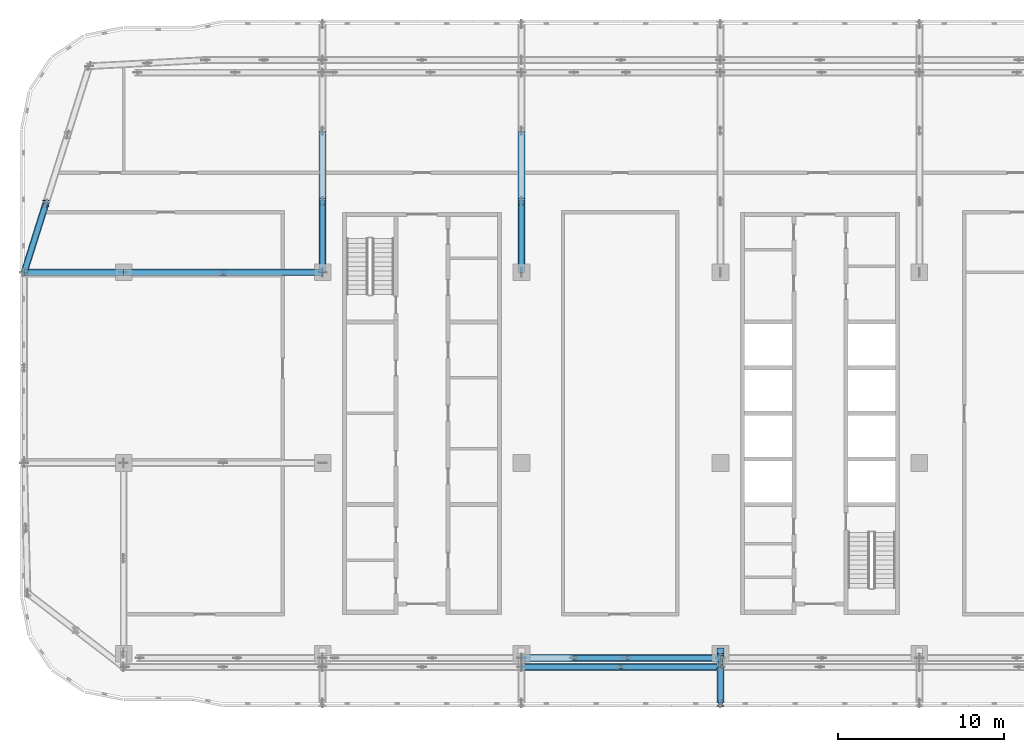
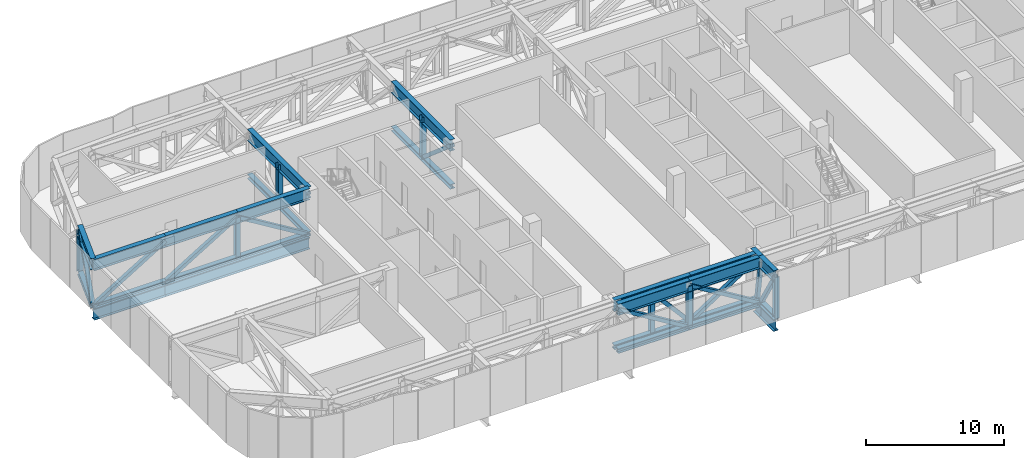
# One storey, part 5 of 29: 40 members, 4 beams.
"""IFC4 building model written with IfcOpenShell, lengths in metres."""

from ifc_helpers import new_model, si_unit, direction, frame, origin, origin_2d, place, context, subcontext, project, spatial, hollow_rectangle, i_section, extrude, material, material_profile, profile_set, type_object, element, save


model = new_model("IFC4")

# Units and contexts
model_context = context("Model", 3, precision=1e-05, world=origin(), true_north=direction((0.0, 1.0)))
body_context = subcontext(model_context, "Body", "Model", "MODEL_VIEW")
ifc_project = project(units=[si_unit("LENGTHUNIT", "METRE"), si_unit("AREAUNIT", "SQUARE_METRE"), si_unit("VOLUMEUNIT", "CUBIC_METRE"), si_unit("PLANEANGLEUNIT", "RADIAN"), si_unit("MASSUNIT", "GRAM", prefix="KILO")], contexts=[model_context])

# Site, building, storey
site_placement = place(None, origin())
site = spatial("IfcSite", under=ifc_project, at=site_placement, CompositionType="ELEMENT")
building_placement = place(site_placement, origin())
building = spatial("IfcBuilding", under=site, at=building_placement, Name="Mahtab Terrace Research Tower", CompositionType="ELEMENT")
storey_placement = place(building_placement, frame((0.0, 0.0, 259.0)))
storey = spatial("IfcBuildingStorey", under=building, at=storey_placement, Name="L63", CompositionType="ELEMENT", Elevation=259.0)

# Members
ifc_material_1 = material(Name="Steel ASTM A500 Gr C", Category="steel")
ifc_material_profile_1 = material_profile(ifc_material_1, hollow_rectangle(XDim=0.3046875, YDim=0.3046875, WallThickness=0.0126953125, at=origin_2d()), Name="HSS12X12X1/2")
ifc_profile_set_1 = profile_set([ifc_material_profile_1], Name="Steel ASTM A500 Gr C")
member_type_1 = type_object("IfcMemberType", Name="HSS 12x12x1/2 brace TD121212", PredefinedType="BRACE", material=ifc_profile_set_1)
member_1_placement = place(storey_placement, frame((-48.0, 11.5, -0.19677734375), z_axis=(0.853925355754, 0.0, 0.520395509974), x_axis=(0.0, 1.0, 0.0)))
element("IfcMember", 1, at=member_1_placement, inside=storey, type_object=member_type_1, Name="Transfer truss T7 diagonal 005", PredefinedType="BRACE", context=body_context, shape_type="SweptSolid", body=[
    extrude(hollow_rectangle(XDim=0.3046875, YDim=0.3046875, WallThickness=0.0126953125, at=origin_2d()), origin(), (0.0, 0.0, 1.0), 7.0263671875),
])
member_2_placement = place(storey_placement, frame((-48.0, 11.5, -0.19677734375), z_axis=(0.230434590717, 0.72980981342, 0.643643950983), x_axis=(-0.953594545685, 0.301093743609, 0.0)))
element("IfcMember", 2, at=member_2_placement, inside=storey, type_object=member_type_1, Name="Transfer truss T7 diagonal 008", PredefinedType="BRACE", context=body_context, shape_type="SweptSolid", body=[
    extrude(hollow_rectangle(XDim=0.3046875, YDim=0.3046875, WallThickness=0.0126953125, at=origin_2d()), origin(), (0.0, 0.0, 1.0), 5.680908203125),
])
for number, where, z_axis, x_axis, name in (
    (3, (-42.0, 11.5, -0.19677734375), (0.853925355754, 0.0, 0.520395509974), (0.0, 1.0, 0.0), "Transfer truss T7 diagonal 017"),
    (4, (-30.0, 11.5, -0.19677734375), (-0.853925355754, 0.0, 0.520395509974), (0.0, -1.0, 0.0), "Transfer truss T7 diagonal 024"),
):
    element("IfcMember", number, at=place(storey_placement, frame(where, z_axis=z_axis, x_axis=x_axis)), inside=storey, type_object=member_type_1, Name=name, PredefinedType="BRACE", context=body_context, shape_type="SweptSolid", body=[
        extrude(hollow_rectangle(XDim=0.3046875, YDim=0.3046875, WallThickness=0.0126953125, at=origin_2d()), origin(), (0.0, 0.0, 1.0), 7.0263671875),
    ])
member_3_placement = place(storey_placement, frame((-30.0, 15.76904296875, -0.19677734375), z_axis=(0.0, -0.759492630748, 0.650515905908), x_axis=(1.0, 0.0, 0.0)))
element("IfcMember", 5, at=member_3_placement, inside=storey, type_object=member_type_1, Name="Transfer truss T7 diagonal 032", PredefinedType="BRACE", context=body_context, shape_type="SweptSolid", body=[
    extrude(hollow_rectangle(XDim=0.3046875, YDim=0.3046875, WallThickness=0.0126953125, at=origin_2d()), origin(), (0.0, 0.0, 1.0), 5.620849609375),
])
member_4_placement = place(storey_placement, frame((-12.0, -12.306884765625, -0.19677734375), z_axis=(-0.853925355754, 0.0, 0.520395509974), x_axis=(0.0, -1.0, 0.0)))
element("IfcMember", 6, at=member_4_placement, inside=storey, type_object=member_type_1, Name="Transfer truss T7 diagonal 046", PredefinedType="BRACE", context=body_context, shape_type="SweptSolid", body=[
    extrude(hollow_rectangle(XDim=0.3046875, YDim=0.3046875, WallThickness=0.0126953125, at=origin_2d()), origin(), (0.0, 0.0, 1.0), 7.0263671875),
])
member_5_placement = place(storey_placement, frame((-18.0, 15.76904296875, -0.19677734375), z_axis=(0.0, -0.759492630748, 0.650515905908), x_axis=(1.0, 0.0, 0.0)))
element("IfcMember", 7, at=member_5_placement, inside=storey, type_object=member_type_1, Name="Transfer truss T7 diagonal 048", PredefinedType="BRACE", context=body_context, shape_type="SweptSolid", body=[
    extrude(hollow_rectangle(XDim=0.3046875, YDim=0.3046875, WallThickness=0.0126953125, at=origin_2d()), origin(), (0.0, 0.0, 1.0), 5.620849609375),
])
member_6_placement = place(storey_placement, frame((-11.633056640625, -11.758056640625, -0.19677734375), z_axis=(-0.656623695665, 0.0, 0.754218351866), x_axis=(0.0, -1.0, 0.0)))
element("IfcMember", 8, at=member_6_placement, inside=storey, type_object=member_type_1, Name="Transfer truss T7 diagonal 057", PredefinedType="BRACE", context=body_context, shape_type="SweptSolid", body=[
    extrude(hollow_rectangle(XDim=0.3046875, YDim=0.3046875, WallThickness=0.0126953125, at=origin_2d()), origin(), (0.0, 0.0, 1.0), 4.84814453125),
])
member_7_placement = place(storey_placement, frame((-6.0, -12.306884765625, -0.19677734375), z_axis=(-0.853925355754, 0.0, 0.520395509974), x_axis=(0.0, -1.0, 0.0)))
element("IfcMember", 9, at=member_7_placement, inside=storey, type_object=member_type_1, Name="Transfer truss T7 diagonal 058", PredefinedType="BRACE", context=body_context, shape_type="SweptSolid", body=[
    extrude(hollow_rectangle(XDim=0.3046875, YDim=0.3046875, WallThickness=0.0126953125, at=origin_2d()), origin(), (0.0, 0.0, 1.0), 7.0263671875),
])
member_8_placement = place(storey_placement, frame((-11.633056640625, -11.758056640625, -0.19677734375), z_axis=(0.838783156926, 0.0, 0.544465623945), x_axis=(0.0, 1.0, 0.0)))
element("IfcMember", 10, at=member_8_placement, inside=storey, type_object=member_type_1, Name="Transfer truss T7 diagonal 061", PredefinedType="BRACE", context=body_context, shape_type="SweptSolid", body=[
    extrude(hollow_rectangle(XDim=0.3046875, YDim=0.3046875, WallThickness=0.0126953125, at=origin_2d()), origin(), (0.0, 0.0, 1.0), 6.7158203125),
])
member_9_placement = place(storey_placement, frame((-6.0, -12.306884765625, -0.19677734375), z_axis=(0.0, -0.50966381265, 0.860373638645), x_axis=(1.0, 0.0, 0.0)))
element("IfcMember", 11, at=member_9_placement, inside=storey, type_object=member_type_1, Name="Transfer truss T7 diagonal 062", PredefinedType="BRACE", context=body_context, shape_type="SweptSolid", body=[
    extrude(hollow_rectangle(XDim=0.3046875, YDim=0.3046875, WallThickness=0.0126953125, at=origin_2d()), origin(), (0.0, 0.0, 1.0), 4.25),
])
member_10_placement = place(storey_placement, frame((-6.0, -11.758056640625, -0.19677734375), z_axis=(0.0, -0.148434088087, 0.988922303062), x_axis=(1.0, 0.0, 0.0)))
element("IfcMember", 12, at=member_10_placement, inside=storey, type_object=member_type_1, Name="Transfer truss T7 diagonal 064", PredefinedType="BRACE", context=body_context, shape_type="SweptSolid", body=[
    extrude(hollow_rectangle(XDim=0.3046875, YDim=0.3046875, WallThickness=0.0126953125, at=origin_2d()), origin(), (0.0, 0.0, 1.0), 3.697509765625),
])
ifc_material_2 = material(Name="Steel ASTM A992 Gr 50", Category="steel")
ifc_material_profile_2 = material_profile(ifc_material_2, i_section(OverallWidth=0.373291015625, OverallDepth=0.373291015625, WebThickness=0.016357421875, FlangeThickness=0.026123046875, at=origin_2d()), Name="W14X132")
ifc_profile_set_2 = profile_set([ifc_material_profile_2], Name="Steel ASTM A992 Gr 50")
member_type_2 = type_object("IfcMemberType", Name="W14x132 post TP14132", PredefinedType="POST", material=ifc_profile_set_2)
for number, where, z_axis, x_axis, name in (
    (13, (-46.68994140625, 15.64990234375, -0.19677734375), (0.0, 0.0, 1.0), (1.0, 0.0, 0.0), "Transfer truss T7 post 006"),
    (14, (-36.0, 11.5, -0.19677734375), (0.0, 0.0, 1.0), (1.0, 0.0, 0.0), "Transfer truss T7 post 021"),
    (15, (-30.0, 15.77001953125, -0.19677734375), (0.0, 0.0, 1.0), (1.0, 0.0, 0.0), "Transfer truss T7 post 030"),
    (16, (-18.0, 15.77001953125, -0.19677734375), (0.0, 0.0, 1.0), (1.0, 0.0, 0.0), "Transfer truss T7 post 045"),
    (17, (-14.820068359375, -11.760009765625, -0.19677734375), (0.0, 0.0, 1.0), (1.0, 0.0, 0.0), "Transfer truss T7 post 051"),
    (18, (-12.0, -12.31005859375, -0.19677734375), (0.0, 0.0, 1.0), (1.0, 0.0, 0.0), "Transfer truss T7 post 052"),
    (19, (-11.6298828125, -11.760009765625, -0.19677734375), (0.0, 0.0, 1.0), (1.0, 0.0, 0.0), "Transfer truss T7 post 055"),
    (20, (-6.0, -14.469970703125, -0.19677734375), (0.0, 0.0, 1.0), (1.0, 0.0, 0.0), "Transfer truss T7 post 056"),
):
    element("IfcMember", number, at=place(storey_placement, frame(where, z_axis=z_axis, x_axis=x_axis)), inside=storey, type_object=member_type_2, Name=name, PredefinedType="POST", context=body_context, shape_type="SweptSolid", body=[
        extrude(i_section(OverallWidth=0.373291015625, OverallDepth=0.373291015625, WebThickness=0.016357421875, FlangeThickness=0.026123046875, at=origin_2d()), origin(), (0.0, 0.0, 1.0), 3.656494140625),
    ])
ifc_material_profile_3 = material_profile(ifc_material_2, i_section(OverallWidth=0.40380859375, OverallDepth=0.406494140625, WebThickness=0.027099609375, FlangeThickness=0.043701171875, at=origin_2d()), Name="W14X233")
ifc_profile_set_3 = profile_set([ifc_material_profile_3], Name="Steel ASTM A992 Gr 50")
member_type_3 = type_object("IfcMemberType", Name="W14x233 chord TC14233", PredefinedType="CHORD", material=ifc_profile_set_3)
member_11_placement = place(storey_placement, frame((-48.0, 11.5, -0.19677734375), z_axis=(1.0, 0.0, 0.0), x_axis=(0.0, 1.0, 0.0)))
element("IfcMember", 21, at=member_11_placement, inside=storey, type_object=member_type_3, Name="Transfer truss T7 bottom chord 005", PredefinedType="CHORD", context=body_context, shape_type="SweptSolid", body=[
    extrude(i_section(OverallWidth=0.40380859375, OverallDepth=0.406494140625, WebThickness=0.027099609375, FlangeThickness=0.043701171875, at=origin_2d()), origin(), (0.0, 0.0, 1.0), 6.0),
])
member_12_placement = place(storey_placement, frame((-42.0, 11.5, -0.19677734375), z_axis=(1.0, 0.0, 0.0), x_axis=(0.0, 1.0, 0.0)))
element("IfcMember", 22, at=member_12_placement, inside=storey, type_object=member_type_3, Name="Transfer truss T7 bottom chord 006", PredefinedType="CHORD", context=body_context, shape_type="SweptSolid", body=[
    extrude(i_section(OverallWidth=0.40380859375, OverallDepth=0.406494140625, WebThickness=0.027099609375, FlangeThickness=0.043701171875, at=origin_2d()), origin(), (0.0, 0.0, 1.0), 12.0),
])
member_13_placement = place(storey_placement, frame((-46.69091796875, 15.64599609375, -0.19677734375), z_axis=(-0.301093743609, -0.953594545685, 0.0), x_axis=(0.953594545685, -0.301093743609, 0.0)))
element("IfcMember", 23, at=member_13_placement, inside=storey, type_object=member_type_3, Name="Transfer truss T7 bottom chord 008", PredefinedType="CHORD", context=body_context, shape_type="SweptSolid", body=[
    extrude(i_section(OverallWidth=0.40380859375, OverallDepth=0.406494140625, WebThickness=0.027099609375, FlangeThickness=0.043701171875, at=origin_2d()), origin(), (0.0, 0.0, 1.0), 4.34765625),
])
for number, where, z_axis, x_axis, name in (
    (24, (-18.0, -12.306884765625, -0.19677734375), (1.0, 0.0, 0.0), (0.0, 1.0, 0.0), "Transfer truss T7 bottom chord 020"),
    (25, (-18.0, -11.758056640625, -0.19677734375), (1.0, 0.0, 0.0), (0.0, 1.0, 0.0), "Transfer truss T7 bottom chord 037"),
):
    element("IfcMember", number, at=place(storey_placement, frame(where, z_axis=z_axis, x_axis=x_axis)), inside=storey, type_object=member_type_3, Name=name, PredefinedType="CHORD", context=body_context, shape_type="SweptSolid", body=[
        extrude(i_section(OverallWidth=0.40380859375, OverallDepth=0.406494140625, WebThickness=0.027099609375, FlangeThickness=0.043701171875, at=origin_2d()), origin(), (0.0, 0.0, 1.0), 12.0),
    ])
for number, where, z_axis, x_axis, name in (
    (26, (-30.0, 11.5, -0.19677734375), (0.0, 1.0, 0.0), (-1.0, 0.0, 0.0), "Transfer truss T7 bottom chord 046"),
    (27, (-18.0, 11.5, -0.19677734375), (0.0, 1.0, 0.0), (-1.0, 0.0, 0.0), "Transfer truss T7 bottom chord 051"),
):
    element("IfcMember", number, at=place(storey_placement, frame(where, z_axis=z_axis, x_axis=x_axis)), inside=storey, type_object=member_type_3, Name=name, PredefinedType="CHORD", context=body_context, shape_type="SweptSolid", body=[
        extrude(i_section(OverallWidth=0.40380859375, OverallDepth=0.406494140625, WebThickness=0.027099609375, FlangeThickness=0.043701171875, at=origin_2d()), origin(), (0.0, 0.0, 1.0), 8.5380859375),
    ])
member_14_placement = place(storey_placement, frame((-6.0, -14.472900390625, -0.19677734375), z_axis=(0.0, 1.0, 0.0), x_axis=(-1.0, 0.0, 0.0)))
element("IfcMember", 28, at=member_14_placement, inside=storey, type_object=member_type_3, Name="Transfer truss T7 bottom chord 054", PredefinedType="CHORD", context=body_context, shape_type="SweptSolid", body=[
    extrude(i_section(OverallWidth=0.40380859375, OverallDepth=0.406494140625, WebThickness=0.027099609375, FlangeThickness=0.043701171875, at=origin_2d()), origin(), (0.0, 0.0, 1.0), 2.166015625),
])
ifc_material_profile_4 = material_profile(ifc_material_2, i_section(OverallWidth=0.4013671875, OverallDepth=1.000732421875, WebThickness=0.01904296875, FlangeThickness=0.0361328125, at=origin_2d()), Name="W40X249")
ifc_profile_set_4 = profile_set([ifc_material_profile_4], Name="Steel ASTM A992 Gr 50")
member_type_4 = type_object("IfcMemberType", Name="W40x249 chord TT40249", PredefinedType="CHORD", material=ifc_profile_set_4)
for number, where, z_axis, x_axis, name in (
    (29, (-48.0, 11.5, 3.459716796875), (1.0, 0.0, 0.0), (0.0, 1.0, 0.0), "Transfer truss T7 top chord 006"),
    (30, (-42.0, 11.5, 3.459716796875), (1.0, 0.0, 0.0), (0.0, 1.0, 0.0), "Transfer truss T7 top chord 007"),
    (31, (-36.0, 11.5, 3.459716796875), (1.0, 0.0, 0.0), (0.0, 1.0, 0.0), "Transfer truss T7 top chord 008"),
):
    element("IfcMember", number, at=place(storey_placement, frame(where, z_axis=z_axis, x_axis=x_axis)), inside=storey, type_object=member_type_4, Name=name, PredefinedType="CHORD", context=body_context, shape_type="SweptSolid", body=[
        extrude(i_section(OverallWidth=0.4013671875, OverallDepth=1.000732421875, WebThickness=0.01904296875, FlangeThickness=0.0361328125, at=origin_2d()), origin(), (0.0, 0.0, 1.0), 6.0),
    ])
member_15_placement = place(storey_placement, frame((-46.69091796875, 15.64599609375, 3.459716796875), z_axis=(-0.301093743609, -0.953594545685, 0.0), x_axis=(0.953594545685, -0.301093743609, 0.0)))
element("IfcMember", 32, at=member_15_placement, inside=storey, type_object=member_type_4, Name="Transfer truss T7 top chord 010", PredefinedType="CHORD", context=body_context, shape_type="SweptSolid", body=[
    extrude(i_section(OverallWidth=0.4013671875, OverallDepth=1.000732421875, WebThickness=0.01904296875, FlangeThickness=0.0361328125, at=origin_2d()), origin(), (0.0, 0.0, 1.0), 4.34765625),
])
for number, where, z_axis, x_axis, name in (
    (33, (-18.0, -12.306884765625, 3.459716796875), (1.0, 0.0, 0.0), (0.0, 1.0, 0.0), "Transfer truss T7 top chord 030"),
    (34, (-12.0, -12.306884765625, 3.459716796875), (1.0, 0.0, 0.0), (0.0, 1.0, 0.0), "Transfer truss T7 top chord 031"),
):
    element("IfcMember", number, at=place(storey_placement, frame(where, z_axis=z_axis, x_axis=x_axis)), inside=storey, type_object=member_type_4, Name=name, PredefinedType="CHORD", context=body_context, shape_type="SweptSolid", body=[
        extrude(i_section(OverallWidth=0.4013671875, OverallDepth=1.000732421875, WebThickness=0.01904296875, FlangeThickness=0.0361328125, at=origin_2d()), origin(), (0.0, 0.0, 1.0), 6.0),
    ])
member_16_placement = place(storey_placement, frame((-18.0, -11.758056640625, 3.459716796875), z_axis=(1.0, 0.0, 0.0), x_axis=(0.0, 1.0, 0.0)))
element("IfcMember", 35, at=member_16_placement, inside=storey, type_object=member_type_4, Name="Transfer truss T7 top chord 059", PredefinedType="CHORD", context=body_context, shape_type="SweptSolid", body=[
    extrude(i_section(OverallWidth=0.4013671875, OverallDepth=1.000732421875, WebThickness=0.01904296875, FlangeThickness=0.0361328125, at=origin_2d()), origin(), (0.0, 0.0, 1.0), 6.366943359375),
])
member_17_placement = place(storey_placement, frame((-11.633056640625, -11.758056640625, 3.459716796875), z_axis=(1.0, 0.0, 0.0), x_axis=(0.0, 1.0, 0.0)))
element("IfcMember", 36, at=member_17_placement, inside=storey, type_object=member_type_4, Name="Transfer truss T7 top chord 060", PredefinedType="CHORD", context=body_context, shape_type="SweptSolid", body=[
    extrude(i_section(OverallWidth=0.4013671875, OverallDepth=1.000732421875, WebThickness=0.01904296875, FlangeThickness=0.0361328125, at=origin_2d()), origin(), (0.0, 0.0, 1.0), 5.633056640625),
])
for number, where, z_axis, x_axis, name in (
    (37, (-30.0, 11.5, 3.459716796875), (0.0, 1.0, 0.0), (-1.0, 0.0, 0.0), "Transfer truss T7 top chord 072"),
    (38, (-18.0, 11.5, 3.459716796875), (0.0, 1.0, 0.0), (-1.0, 0.0, 0.0), "Transfer truss T7 top chord 077"),
):
    element("IfcMember", number, at=place(storey_placement, frame(where, z_axis=z_axis, x_axis=x_axis)), inside=storey, type_object=member_type_4, Name=name, PredefinedType="CHORD", context=body_context, shape_type="SweptSolid", body=[
        extrude(i_section(OverallWidth=0.4013671875, OverallDepth=1.000732421875, WebThickness=0.01904296875, FlangeThickness=0.0361328125, at=origin_2d()), origin(), (0.0, 0.0, 1.0), 8.5380859375),
    ])
member_18_placement = place(storey_placement, frame((-6.0, -14.472900390625, 3.459716796875), z_axis=(0.0, 1.0, 0.0), x_axis=(-1.0, 0.0, 0.0)))
element("IfcMember", 39, at=member_18_placement, inside=storey, type_object=member_type_4, Name="Transfer truss T7 top chord 080", PredefinedType="CHORD", context=body_context, shape_type="SweptSolid", body=[
    extrude(i_section(OverallWidth=0.4013671875, OverallDepth=1.000732421875, WebThickness=0.01904296875, FlangeThickness=0.0361328125, at=origin_2d()), origin(), (0.0, 0.0, 1.0), 2.166015625),
])
member_19_placement = place(storey_placement, frame((-6.0, -12.306884765625, 3.459716796875), z_axis=(0.0, 1.0, 0.0), x_axis=(-1.0, 0.0, 0.0)))
element("IfcMember", 40, at=member_19_placement, inside=storey, type_object=member_type_4, Name="Transfer truss T7 top chord 081", PredefinedType="CHORD", context=body_context, shape_type="SweptSolid", body=[
    extrude(i_section(OverallWidth=0.4013671875, OverallDepth=1.000732421875, WebThickness=0.01904296875, FlangeThickness=0.0361328125, at=origin_2d()), origin(), (0.0, 0.0, 1.0), 1.15087890625),
])

# Beams
ifc_material_profile_5 = material_profile(ifc_material_2, i_section(OverallWidth=0.4013671875, OverallDepth=1.000732421875, WebThickness=0.01904296875, FlangeThickness=0.0361328125, at=origin_2d()), Name="W40X249")
ifc_profile_set_5 = profile_set([ifc_material_profile_5], Name="Steel ASTM A992 Gr 50")
beam_type = type_object("IfcBeamType", Name="W40x249 transfer girder TG40249", PredefinedType="BEAM", material=ifc_profile_set_5)
beam_1_placement = place(storey_placement, frame((-48.0, 11.5, -0.8984375), z_axis=(1.0, 0.0, 0.0), x_axis=(0.0, 1.0, 0.0)))
element("IfcBeam", 41, at=beam_1_placement, inside=storey, type_object=beam_type, Name="Transfer girder T7 15", PredefinedType="BEAM", context=body_context, shape_type="SweptSolid", body=[
    extrude(i_section(OverallWidth=0.4013671875, OverallDepth=1.000732421875, WebThickness=0.01904296875, FlangeThickness=0.0361328125, at=origin_2d()), origin(), (0.0, 0.0, 1.0), 6.0),
])
beam_2_placement = place(storey_placement, frame((-42.0, 11.5, -0.8984375), z_axis=(1.0, 0.0, 0.0), x_axis=(0.0, 1.0, 0.0)))
element("IfcBeam", 42, at=beam_2_placement, inside=storey, type_object=beam_type, Name="Transfer girder T7 16", PredefinedType="BEAM", context=body_context, shape_type="SweptSolid", body=[
    extrude(i_section(OverallWidth=0.4013671875, OverallDepth=1.000732421875, WebThickness=0.01904296875, FlangeThickness=0.0361328125, at=origin_2d()), origin(), (0.0, 0.0, 1.0), 12.0),
])
beam_3_placement = place(storey_placement, frame((-6.0, -14.472900390625, -0.8984375), z_axis=(0.0, 1.0, 0.0), x_axis=(-1.0, 0.0, 0.0)))
element("IfcBeam", 43, at=beam_3_placement, inside=storey, type_object=beam_type, Name="Transfer girder T7 23", PredefinedType="BEAM", context=body_context, shape_type="SweptSolid", body=[
    extrude(i_section(OverallWidth=0.4013671875, OverallDepth=1.000732421875, WebThickness=0.01904296875, FlangeThickness=0.0361328125, at=origin_2d()), origin(), (0.0, 0.0, 1.0), 2.166015625),
])
beam_4_placement = place(storey_placement, frame((-6.0, -12.306884765625, -0.8984375), z_axis=(0.0, 1.0, 0.0), x_axis=(-1.0, 0.0, 0.0)))
element("IfcBeam", 44, at=beam_4_placement, inside=storey, type_object=beam_type, Name="Transfer girder T7 24", PredefinedType="BEAM", context=body_context, shape_type="SweptSolid", body=[
    extrude(i_section(OverallWidth=0.4013671875, OverallDepth=1.000732421875, WebThickness=0.01904296875, FlangeThickness=0.0361328125, at=origin_2d()), origin(), (0.0, 0.0, 1.0), 0.806884765625),
])

save(model, "model.ifc")
